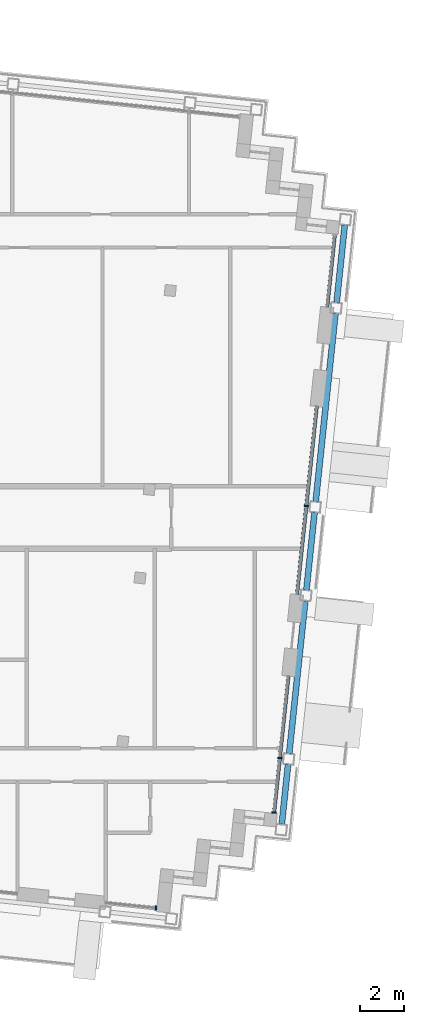
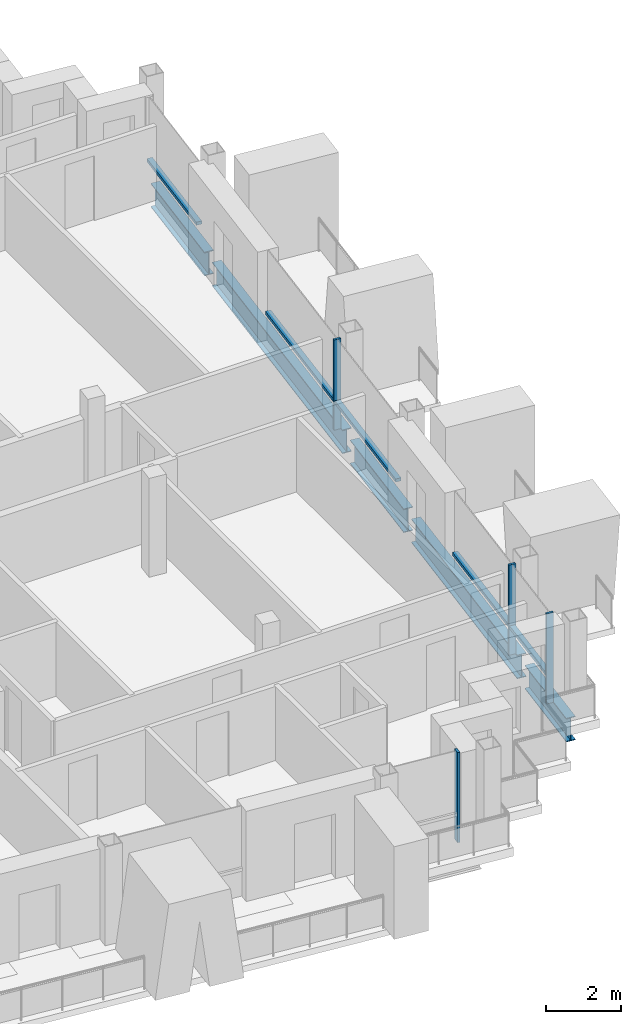
# One storey, part 4 of 17: 9 members, 5 beams, 4 elements without a shape of their own.
"""IFC4 building model written with IfcOpenShell, lengths in metres."""

import ifcopenshell
import ifcopenshell.guid

model = None  # the IFC model being written
_history = None  # IfcOwnerHistory: only IFC2X3 demands one
_inside = {}  # id of a spatial element -> (the spatial element, [elements in it])
_under = {}  # id of a project, library or spatial element -> (it, [spatial elements below it])
_declared = {}  # id of a project -> (the project, [libraries it declares])
_typed = {}  # id of a type object -> (the type object, [elements of that type])
_made_of = {}  # id of a material, layer set ... -> (it, [elements and type objects made of it])


def new_model(schema):
    """Start an empty IFC model of exactly this schema.

    Asked for "IFC4X3", IfcOpenShell would pick the latest addendum, in which some entities
    have other attributes; the version numbers below select the first issue.
    IFC2X3 requires an IfcOwnerHistory on every rooted entity: one is made here for all.
    """
    global model, _history
    if schema == "IFC4X3":
        model = ifcopenshell.file(schema_version=(4, 3, 0, 0))
    else:
        model = ifcopenshell.file(schema=schema)
    _inside.clear()
    _under.clear()
    _declared.clear()
    _typed.clear()
    _made_of.clear()
    _history = None
    if model.schema == "IFC2X3":
        org = make("IfcOrganization", Name="unknown")
        user = make(
            "IfcPersonAndOrganization",
            ThePerson=make("IfcPerson", FamilyName="unknown"),
            TheOrganization=org,
        )
        app = make(
            "IfcApplication",
            ApplicationDeveloper=org,
            Version="unknown",
            ApplicationFullName="unknown",
            ApplicationIdentifier="unknown",
        )
        _history = make(
            "IfcOwnerHistory",
            OwningUser=user,
            OwningApplication=app,
            ChangeAction="ADDED",
            CreationDate=0,
        )
    return model


def make(cls, **values):
    """One entity of the class cls with the attributes given. An attribute that is None is left unset."""
    return model.create_entity(
        cls, **{name: value for name, value in values.items() if value is not None}
    )


def rooted(cls, **values):
    """An entity with a GlobalId (a new one), such as an element, a storey or a relation."""
    return make(cls, GlobalId=ifcopenshell.guid.new(), OwnerHistory=_history, **values)


def si_unit(unit_type, name, prefix=None):
    """IfcSIUnit, for example si_unit("LENGTHUNIT", "METRE", prefix="MILLI")."""
    return make("IfcSIUnit", UnitType=unit_type, Prefix=prefix, Name=name)


def assignment(units):
    """IfcUnitAssignment: the units of a project."""
    return None if units is None else make("IfcUnitAssignment", Units=units)


def point(xyz):
    """IfcCartesianPoint."""
    return None if xyz is None else make("IfcCartesianPoint", Coordinates=xyz)


def direction(xyz):
    """IfcDirection."""
    return None if xyz is None else make("IfcDirection", DirectionRatios=xyz)


def frame(location, z_axis=None, x_axis=None):
    """IfcAxis2Placement3D, a coordinate frame: its origin and axes. An axis left out is left unset."""
    return make(
        "IfcAxis2Placement3D",
        Location=point(location),
        Axis=direction(z_axis),
        RefDirection=direction(x_axis),
    )


def frame_2d(location, x_axis=None):
    """IfcAxis2Placement2D, a coordinate frame in the plane: its origin and x axis."""
    return make(
        "IfcAxis2Placement2D", Location=point(location), RefDirection=direction(x_axis)
    )


def origin():
    """The frame at (0, 0, 0) with its axes left unset."""
    return frame((0.0, 0.0, 0.0))


def origin_2d():
    """The frame at (0, 0) in the plane with its x axis left unset."""
    return frame_2d((0.0, 0.0))


def place(relative_to, where):
    """IfcLocalPlacement: puts the frame where relative to a parent placement (None: the world)."""
    return make(
        "IfcLocalPlacement", PlacementRelTo=relative_to, RelativePlacement=where
    )


def context(
    kind, dimensions, precision=None, world=None, true_north=None, identifier=None
):
    """IfcGeometricRepresentationContext, for example the 3D "Model" context."""
    return make(
        "IfcGeometricRepresentationContext",
        ContextIdentifier=identifier,
        ContextType=kind,
        CoordinateSpaceDimension=dimensions,
        Precision=precision,
        WorldCoordinateSystem=world,
        TrueNorth=true_north,
    )


def subcontext(parent, identifier, kind, view, scale=None):
    """IfcGeometricRepresentationSubContext, for example "Body" below "Model"."""
    return make(
        "IfcGeometricRepresentationSubContext",
        ContextIdentifier=identifier,
        ContextType=kind,
        ParentContext=parent,
        TargetScale=scale,
        TargetView=view,
    )


def project(units=None, contexts=None):
    """IfcProject with its units and contexts."""
    return rooted(
        "IfcProject",
        Name="project",
        RepresentationContexts=contexts,
        UnitsInContext=assignment(units),
    )


def spatial(cls, under=None, at=None, **own):
    """A site, building, storey or space (cls), placed at a placement, below another one or the project."""
    s = rooted(cls, ObjectPlacement=at, **own)
    if under is not None:
        _under.setdefault(under.id(), (under, []))[1].append(s)
    return s


def profile(cls, at=None, kind="AREA", **sizes):
    """A parametric profile (cls). Its sizes go by their IFC names, for example OverallWidth=200.0."""
    return make(cls, ProfileType=kind, Position=at, **sizes)


def rectangle(**sizes):
    """IfcRectangleProfileDef."""
    return profile("IfcRectangleProfileDef", **sizes)


def i_section(**sizes):
    """IfcIShapeProfileDef."""
    return profile("IfcIShapeProfileDef", **sizes)


def extrude(swept, where, along, depth):
    """IfcExtrudedAreaSolid: the profile swept, set in the frame where, extruded along a direction by depth."""
    return make(
        "IfcExtrudedAreaSolid",
        SweptArea=swept,
        Position=where,
        ExtrudedDirection=direction(along),
        Depth=depth,
    )


def shape(context_of_items, identifier, shape_type, items):
    """IfcShapeRepresentation: the items that make up one representation, for example the "Body"."""
    return make(
        "IfcShapeRepresentation",
        ContextOfItems=context_of_items,
        RepresentationIdentifier=identifier,
        RepresentationType=shape_type,
        Items=items,
    )


def material(Name=None, Category=None):
    """IfcMaterial."""
    return make("IfcMaterial", Name=Name, Category=Category)


def material_profile(
    of_material, cross_section, Name=None, Category=None, Priority=None
):
    """IfcMaterialProfile: a cross section and its material."""
    return make(
        "IfcMaterialProfile",
        Name=Name,
        Material=of_material,
        Profile=cross_section,
        Priority=Priority,
        Category=Category,
    )


def profile_set(profiles, Name=None, composite=None):
    """IfcMaterialProfileSet."""
    return make(
        "IfcMaterialProfileSet",
        Name=Name,
        MaterialProfiles=profiles,
        CompositeProfile=composite,
    )


def made_of(thing, what):
    """Note that an element or type object is made of a material, layer set ...; save() writes the relation."""
    if what is not None:
        _made_of.setdefault(what.id(), (what, []))[1].append(thing)
    return thing


def type_object(cls, material=None, **own):
    """A type object (cls), such as IfcWallType, which elements share."""
    return made_of(rooted(cls, **own), material)


def element(
    cls,
    number,
    at=None,
    inside=None,
    cuts=None,
    type_object=None,
    material=None,
    context=None,
    identifier="Body",
    shape_type=None,
    held_by="IfcProductDefinitionShape",
    body=None,
    shapes=None,
    **own,
):
    """One element of the class cls, such as IfcWall. Its Tag is "e" and its number.

    at: its placement. inside: the storey or other place that contains it. cuts: it is an
    opening in that element (IfcRelVoidsElement). A single representation is given by context,
    identifier, shape_type and body (its items); several are given by shapes. held_by: the class
    of the entity that holds the representations. save() writes the other relations.
    """
    e = rooted(cls, Tag="e%d" % number, ObjectPlacement=at, **own)
    if body is not None:
        shapes = [shape(context, identifier, shape_type, body)]
    if shapes is not None:
        e.Representation = make(held_by, Representations=shapes)
    if inside is not None:
        _inside.setdefault(inside.id(), (inside, []))[1].append(e)
    if cuts is not None:
        rooted(
            "IfcRelVoidsElement", RelatingBuildingElement=cuts, RelatedOpeningElement=e
        )
    if type_object is not None:
        _typed.setdefault(type_object.id(), (type_object, []))[1].append(e)
    return made_of(e, material)


def aggregate(whole, parts):
    """IfcRelAggregates: a whole, such as a stair, and the parts it consists of."""
    return rooted("IfcRelAggregates", RelatingObject=whole, RelatedObjects=parts)


def save(model, path):
    """Write the relations noted so far, then the file.

    IfcRelAggregates (storeys below a building ...), IfcRelContainedInSpatialStructure (elements
    in a storey), IfcRelDefinesByType, IfcRelAssociatesMaterial and IfcRelDeclares: one each for
    every whole, place, type object, material and project.
    """
    for whole, parts in _under.values():
        aggregate(whole, parts)
    for where, things in _inside.values():
        rooted(
            "IfcRelContainedInSpatialStructure",
            RelatedElements=things,
            RelatingStructure=where,
        )
    for kind, things in _typed.values():
        rooted("IfcRelDefinesByType", RelatedObjects=things, RelatingType=kind)
    for what, things in _made_of.values():
        rooted("IfcRelAssociatesMaterial", RelatedObjects=things, RelatingMaterial=what)
    for by, libraries in _declared.values():
        rooted("IfcRelDeclares", RelatingContext=by, RelatedDefinitions=libraries)
    model.write(path)


model = new_model("IFC4")

# Units and contexts
model_context = context("Model", 3, precision=1e-05, world=origin(), true_north=direction((0.0, 1.0)))
body_context = subcontext(model_context, "Body", "Model", "MODEL_VIEW")
ifc_project = project(units=[si_unit("LENGTHUNIT", "METRE"), si_unit("AREAUNIT", "SQUARE_METRE"), si_unit("VOLUMEUNIT", "CUBIC_METRE"), si_unit("PLANEANGLEUNIT", "RADIAN"), si_unit("MASSUNIT", "GRAM", prefix="KILO")], contexts=[model_context])

# Site, building, storey
site_placement = place(None, origin())
site = spatial("IfcSite", under=ifc_project, at=site_placement, CompositionType="ELEMENT")
building_placement = place(site_placement, origin())
building = spatial("IfcBuilding", under=site, at=building_placement, Name="Vidyagriha Tower", CompositionType="ELEMENT")
storey_placement = place(building_placement, frame((0.0, 0.0, 262.699951171875)))
storey = spatial("IfcBuildingStorey", under=building, at=storey_placement, Name="L68", CompositionType="ELEMENT", Elevation=262.699951171875)

# Beams
ifc_material_1 = material(Name="Steel ASTM A992 Grade 50", Category="steel")
ifc_material_profile_1 = material_profile(ifc_material_1, i_section(OverallWidth=0.2666015625, OverallDepth=0.76953125, WebThickness=0.015625, FlangeThickness=0.025390625, at=origin_2d()), Name="W30X132")
ifc_profile_set_1 = profile_set([ifc_material_profile_1], Name="Steel ASTM A992 Grade 50")
beam_type = type_object("IfcBeamType", Name="Cantilever edge beam W30X132", PredefinedType="SPANDREL", material=ifc_profile_set_1)
beam_1_placement = place(storey_placement, frame((29.968017578125, -13.79736328125, -0.664794921875), z_axis=(0.104435320588, 0.994531680649, 0.0), x_axis=(-0.994531680649, 0.104435320588, 0.0)))
element("IfcBeam", 1, at=beam_1_placement, inside=storey, type_object=beam_type, Name="st-beam-L68-E13", PredefinedType="SPANDREL", context=body_context, shape_type="SweptSolid", body=[
    extrude(i_section(OverallWidth=0.2666015625, OverallDepth=0.76953125, WebThickness=0.015625, FlangeThickness=0.025390625, at=origin_2d()), origin(), (0.0, 0.0, 1.0), 2.699951171875),
])
beam_2_placement = place(storey_placement, frame((30.30224609375, -10.61474609375, -0.664794921875), z_axis=(0.104557694553, 0.994518822602, 0.0), x_axis=(-0.994518822602, 0.104557694553, 0.0)))
element("IfcBeam", 2, at=beam_2_placement, inside=storey, type_object=beam_type, Name="st-beam-L68-E14", PredefinedType="SPANDREL", context=body_context, shape_type="SweptSolid", body=[
    extrude(i_section(OverallWidth=0.2666015625, OverallDepth=0.76953125, WebThickness=0.015625, FlangeThickness=0.025390625, at=origin_2d()), origin(), (0.0, 0.0, 1.0), 6.89990234375),
])
beam_3_placement = place(storey_placement, frame((31.075927734375, -3.25537109375, -0.664794921875), z_axis=(0.104495960989, 0.994525310958, 0.0), x_axis=(-0.994525310958, 0.104495960989, 0.0)))
element("IfcBeam", 3, at=beam_3_placement, inside=storey, type_object=beam_type, Name="st-beam-L68-E15", PredefinedType="SPANDREL", context=body_context, shape_type="SweptSolid", body=[
    extrude(i_section(OverallWidth=0.2666015625, OverallDepth=0.76953125, WebThickness=0.015625, FlangeThickness=0.025390625, at=origin_2d()), origin(), (0.0, 0.0, 1.0), 3.499755859375),
])
beam_4_placement = place(storey_placement, frame((31.493896484375, 0.72265625, -0.664794921875), z_axis=(0.104550220202, 0.994519608382, 0.0), x_axis=(-0.994519608382, 0.104550220202, 0.0)))
element("IfcBeam", 4, at=beam_4_placement, inside=storey, type_object=beam_type, Name="st-beam-L68-E16", PredefinedType="SPANDREL", context=body_context, shape_type="SweptSolid", body=[
    extrude(i_section(OverallWidth=0.2666015625, OverallDepth=0.76953125, WebThickness=0.015625, FlangeThickness=0.025390625, at=origin_2d()), origin(), (0.0, 0.0, 1.0), 8.5),
])
beam_5_placement = place(storey_placement, frame((32.434814453125, 9.67333984375, -0.664794921875), z_axis=(0.104488712073, 0.994526072584, 0.0), x_axis=(-0.994526072584, 0.104488712073, 0.0)))
element("IfcBeam", 5, at=beam_5_placement, inside=storey, type_object=beam_type, Name="st-beam-L68-E17", PredefinedType="SPANDREL", context=body_context, shape_type="SweptSolid", body=[
    extrude(i_section(OverallWidth=0.2666015625, OverallDepth=0.76953125, WebThickness=0.015625, FlangeThickness=0.025390625, at=origin_2d()), origin(), (0.0, 0.0, 1.0), 3.5),
])

# Curtain wall, member
ifc_material_2 = material(Name="Aluminium and glass curtain wall", Category="aluminium")
curtain_wall_type = type_object("IfcCurtainWallType", Name="Dwelling skin unitised curtain wall", PredefinedType="USERDEFINED", material=ifc_material_2)
curtain_wall_1_placement = place(storey_placement, origin())
curtain_wall_1 = element("IfcCurtainWall", 6, at=curtain_wall_1_placement, inside=storey, type_object=curtain_wall_type, Name="CW1 dwelling skin", ObjectType="UNITISED", PredefinedType="USERDEFINED")
ifc_material_3 = material(Name="Aluminium black anodised", Category="aluminium")
ifc_material_profile_2 = material_profile(ifc_material_3, rectangle(XDim=0.199951171875, YDim=0.070068359375, at=origin_2d()), Name="Mullion 70x200 black aluminium")
ifc_profile_set_2 = profile_set([ifc_material_profile_2], Name="Aluminium black anodised")
member_type_1 = type_object("IfcMemberType", Name="Mullion 70x200 black aluminium", PredefinedType="MULLION", material=ifc_profile_set_2)
member_1_placement = place(storey_placement, frame((24.306884765625, -17.576171875, 0.0), z_axis=(0.0, 0.0, 1.0), x_axis=(0.10452182883, 0.994522592653, 0.0)))
member_1 = element("IfcMember", 7, at=member_1_placement, type_object=member_type_1, Name="CW1 mullion 2", PredefinedType="MULLION", context=body_context, shape_type="SweptSolid", body=[
    extrude(rectangle(XDim=0.199951171875, YDim=0.070068359375, at=origin_2d()), origin(), (0.0, 0.0, 1.0), 2.920166015625),
])
aggregate(curtain_wall_1, [member_1])

# Curtain wall, members
curtain_wall_2_placement = place(storey_placement, origin())
curtain_wall_2 = element("IfcCurtainWall", 8, at=curtain_wall_2_placement, inside=storey, type_object=curtain_wall_type, Name="CW1 dwelling skin", ObjectType="UNITISED", PredefinedType="USERDEFINED")
member_2_placement = place(storey_placement, frame((29.620849609375, -13.273193359375, 0.0), z_axis=(0.0, 0.0, 1.0), x_axis=(-0.994521437861, 0.10453281607, 0.0)))
member_2 = element("IfcMember", 9, at=member_2_placement, type_object=member_type_1, Name="CW1 mullion 1", PredefinedType="MULLION", context=body_context, shape_type="SweptSolid", body=[
    extrude(rectangle(XDim=0.199951171875, YDim=0.070068359375, at=origin_2d()), origin(), (0.0, 0.0, 1.0), 2.920166015625),
])
member_3_placement = place(storey_placement, frame((29.87841796875, -10.82177734375, 0.0), z_axis=(0.0, 0.0, 1.0), x_axis=(-0.994521437861, 0.10453281607, 0.0)))
member_3 = element("IfcMember", 10, at=member_3_placement, type_object=member_type_1, Name="CW1 mullion 2", PredefinedType="MULLION", context=body_context, shape_type="SweptSolid", body=[
    extrude(rectangle(XDim=0.199951171875, YDim=0.070068359375, at=origin_2d()), origin(), (0.0, 0.0, 1.0), 2.920166015625),
])

# Curtain wall, member
curtain_wall_3_placement = place(storey_placement, origin())
curtain_wall_3 = element("IfcCurtainWall", 11, at=curtain_wall_3_placement, inside=storey, type_object=curtain_wall_type, Name="CW1 dwelling skin", ObjectType="UNITISED", PredefinedType="USERDEFINED")
member_4_placement = place(storey_placement, frame((31.070068359375, 0.515869140625, 0.0), z_axis=(0.0, 0.0, 1.0), x_axis=(-0.994521750347, 0.104529843047, 0.0)))
member_4 = element("IfcMember", 12, at=member_4_placement, type_object=member_type_1, Name="CW1 mullion 2", PredefinedType="MULLION", context=body_context, shape_type="SweptSolid", body=[
    extrude(rectangle(XDim=0.199951171875, YDim=0.070068359375, at=origin_2d()), origin(), (0.0, 0.0, 1.0), 2.920166015625),
])

# Member
ifc_material_4 = material(Name="Aluminium black anodised", Category="aluminium")
ifc_material_profile_3 = material_profile(ifc_material_4, rectangle(XDim=0.159912109375, YDim=0.10009765625, at=origin_2d()), Name="Transom 100x160 black aluminium")
ifc_profile_set_3 = profile_set([ifc_material_profile_3], Name="Aluminium black anodised")
member_type_2 = type_object("IfcMemberType", Name="Transom 100x160 black aluminium", PredefinedType="USERDEFINED", material=ifc_profile_set_3)
member_5_placement = place(storey_placement, frame((29.62451171875, -13.23828125, 0.900146484375), z_axis=(0.104488443352, 0.994526100817, 0.0), x_axis=(-0.994526100817, 0.104488443352, 0.0)))
member_5 = element("IfcMember", 13, at=member_5_placement, type_object=member_type_2, Name="CW1 transom 1.1", ObjectType="TRANSOM", PredefinedType="USERDEFINED", context=body_context, shape_type="SweptSolid", body=[
    extrude(rectangle(XDim=0.159912109375, YDim=0.10009765625, at=origin_2d()), origin(), (0.0, 0.0, 1.0), 2.39501953125),
])

member_6_placement = place(storey_placement, frame((29.882080078125, -10.786865234375, 0.900146484375), z_axis=(0.104521800028, 0.99452259568, 0.0), x_axis=(-0.99452259568, 0.104521800028, 0.0)))
member_6 = element("IfcMember", 14, at=member_6_placement, type_object=member_type_2, Name="CW1 transom 2.1", ObjectType="TRANSOM", PredefinedType="USERDEFINED", context=body_context, shape_type="SweptSolid", body=[
    extrude(rectangle(XDim=0.159912109375, YDim=0.10009765625, at=origin_2d()), origin(), (0.0, 0.0, 1.0), 3.664794921875),
])

aggregate(curtain_wall_2, [member_2, member_3, member_5, member_6])

member_7_placement = place(storey_placement, frame((30.65185546875, -3.462158203125, 0.900146484375), z_axis=(0.104550167438, 0.994519613929, 0.0), x_axis=(-0.994519613929, 0.104550167438, 0.0)))
member_7 = element("IfcMember", 15, at=member_7_placement, type_object=member_type_2, Name="CW1 transom 1.1", ObjectType="TRANSOM", PredefinedType="USERDEFINED", context=body_context, shape_type="SweptSolid", body=[
    extrude(rectangle(XDim=0.159912109375, YDim=0.10009765625, at=origin_2d()), origin(), (0.0, 0.0, 1.0), 3.965087890625),
])

member_8_placement = place(storey_placement, frame((31.07373046875, 0.55078125, 0.900146484375), z_axis=(0.104494075643, 0.994525509052, 0.0), x_axis=(-0.994525509052, 0.104494075643, 0.0)))
member_8 = element("IfcMember", 16, at=member_8_placement, type_object=member_type_2, Name="CW1 transom 2.1", ObjectType="TRANSOM", PredefinedType="USERDEFINED", context=body_context, shape_type="SweptSolid", body=[
    extrude(rectangle(XDim=0.159912109375, YDim=0.10009765625, at=origin_2d()), origin(), (0.0, 0.0, 1.0), 4.46484375),
])

aggregate(curtain_wall_3, [member_4, member_7, member_8])

# Curtain wall, member
curtain_wall_4_placement = place(storey_placement, origin())
curtain_wall_4 = element("IfcCurtainWall", 17, at=curtain_wall_4_placement, inside=storey, type_object=curtain_wall_type, Name="CW1 dwelling skin", ObjectType="UNITISED", PredefinedType="USERDEFINED")
member_9_placement = place(storey_placement, frame((32.0107421875, 9.466552734375, 0.900146484375), z_axis=(0.104531339354, 0.994521593075, 0.0), x_axis=(-0.994521593075, 0.104531339354, 0.0)))
member_9 = element("IfcMember", 18, at=member_9_placement, type_object=member_type_2, Name="CW1 transom 1.1", ObjectType="TRANSOM", PredefinedType="USERDEFINED", context=body_context, shape_type="SweptSolid", body=[
    extrude(rectangle(XDim=0.159912109375, YDim=0.10009765625, at=origin_2d()), origin(), (0.0, 0.0, 1.0), 3.22998046875),
])
aggregate(curtain_wall_4, [member_9])

save(model, "model.ifc")
